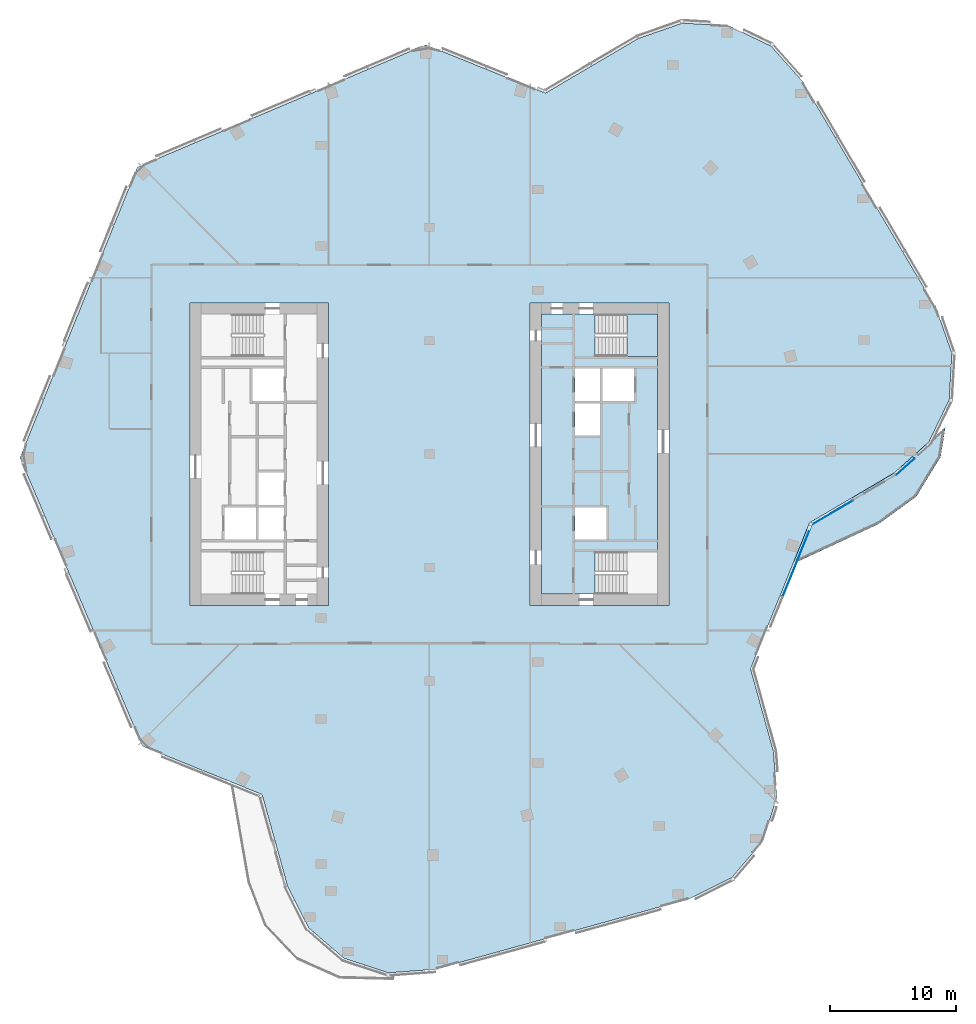
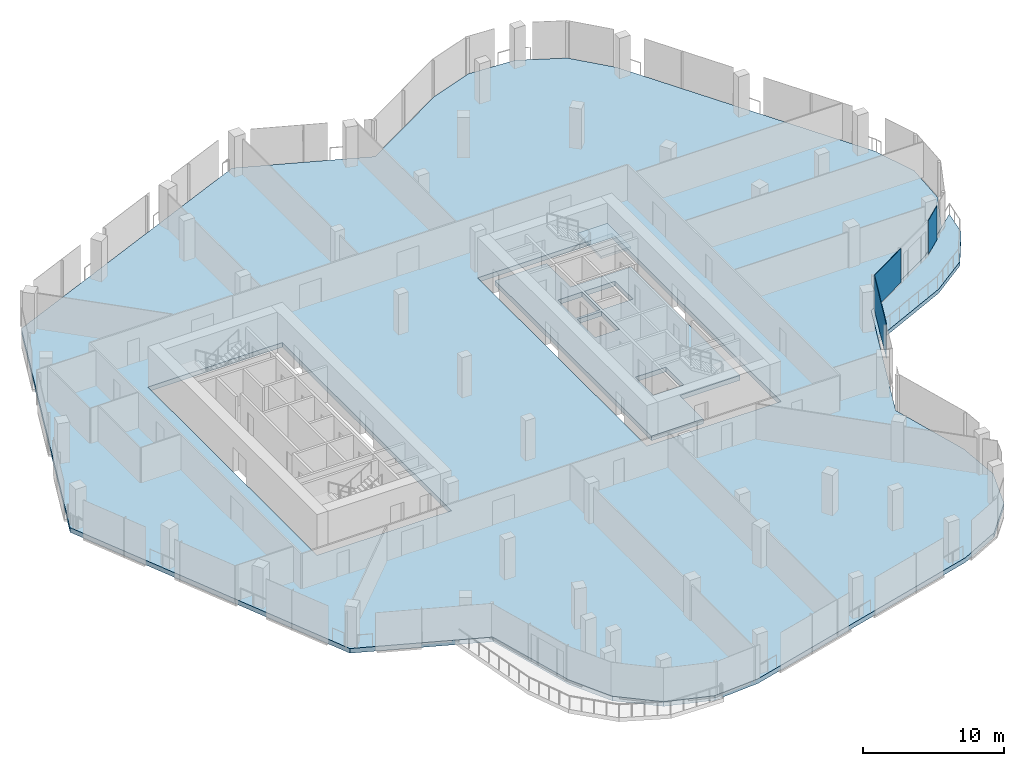
# One storey, part 15 of 26: 4 slabs, 3 plates, 4 elements without a shape of their own.
"""IFC4 building model written with IfcOpenShell, lengths in metres."""

from ifc_helpers import new_model, si_unit, direction, frame, origin, origin_2d, place, context, subcontext, project, spatial, polyline, rectangle, outline, extrude, material, layer, layer_set, type_object, element, aggregate, save


model = new_model("IFC4")

# Units and contexts
model_context = context("Model", 3, precision=1e-05, world=origin(), true_north=direction((0.0, 1.0)))
body_context = subcontext(model_context, "Body", "Model", "MODEL_VIEW")
ifc_project = project(units=[si_unit("LENGTHUNIT", "METRE"), si_unit("AREAUNIT", "SQUARE_METRE"), si_unit("VOLUMEUNIT", "CUBIC_METRE"), si_unit("PLANEANGLEUNIT", "RADIAN"), si_unit("MASSUNIT", "GRAM", prefix="KILO")], contexts=[model_context])

# Site, building, storey
site_placement = place(None, origin())
site = spatial("IfcSite", under=ifc_project, at=site_placement, CompositionType="ELEMENT")
building_placement = place(site_placement, origin())
building = spatial("IfcBuilding", under=site, at=building_placement, Name="Orlundy Tower", CompositionType="ELEMENT")
storey_placement = place(building_placement, frame((0.0, 0.0, 275.39990234375)))
storey = spatial("IfcBuildingStorey", under=building, at=storey_placement, Name="L73", CompositionType="ELEMENT", Elevation=275.39990234375)

# Curtain wall, plate
ifc_material_1 = material(Name="Aluminium bronze anodised", Category="aluminium")
curtain_wall_type = type_object("IfcCurtainWallType", Name="CW6 wall", PredefinedType="NOTDEFINED", material=ifc_material_1)
curtain_wall_1_placement = place(storey_placement, origin())
curtain_wall_1 = element("IfcCurtainWall", 1, at=curtain_wall_1_placement, inside=storey, type_object=curtain_wall_type, Name="CW6 run 00", PredefinedType="NOTDEFINED")
ifc_material_2 = material(Name="Tinted glass", Category="glass")
ifc_layer_1 = layer(ifc_material_2, 0.035888671875)
ifc_layer_set_1 = layer_set([ifc_layer_1], Name="CW6 glass panel 36")
plate_type = type_object("IfcPlateType", Name="CW6 glass panel 36", PredefinedType="CURTAIN_PANEL", material=ifc_layer_set_1)
plate_1_placement = place(storey_placement, frame((31.965087890625, -4.640869140625, 0.16015625), z_axis=(0.0, 0.0, 1.0), x_axis=(-0.861613706628, -0.507564597416, 0.0)))
plate_1 = element("IfcPlate", 2, at=plate_1_placement, type_object=plate_type, Name="CW6 panel", PredefinedType="CURTAIN_PANEL", context=body_context, shape_type="SweptSolid", body=[
    extrude(rectangle(XDim=3.791748046875, YDim=0.035888671875, at=origin_2d()), origin(), (0.0, 0.0, 1.0), 2.93994140625),
])
aggregate(curtain_wall_1, [plate_1])

curtain_wall_2_placement = place(storey_placement, origin())
curtain_wall_2 = element("IfcCurtainWall", 3, at=curtain_wall_2_placement, inside=storey, type_object=curtain_wall_type, Name="CW6 run 01", PredefinedType="NOTDEFINED")
plate_2_placement = place(storey_placement, frame((29.18115234375, -8.45068359375, 0.16015625), z_axis=(0.0, 0.0, 1.0), x_axis=(-0.37457825326, -0.927195304229, 0.0)))
plate_2 = element("IfcPlate", 4, at=plate_2_placement, type_object=plate_type, Name="CW6 panel", PredefinedType="CURTAIN_PANEL", context=body_context, shape_type="SweptSolid", body=[
    extrude(rectangle(XDim=6.142578125, YDim=0.035888671875, at=origin_2d()), origin(), (0.0, 0.0, 1.0), 2.93994140625),
])
aggregate(curtain_wall_2, [plate_2])

curtain_wall_3_placement = place(storey_placement, origin())
curtain_wall_3 = element("IfcCurtainWall", 5, at=curtain_wall_3_placement, inside=storey, type_object=curtain_wall_type, Name="CW6 run 027", PredefinedType="NOTDEFINED")
plate_3_placement = place(storey_placement, frame((37.743896484375, -1.0087890625, 0.16015625), z_axis=(0.0, 0.0, 1.0), x_axis=(-0.746157794518, -0.665769138425, 0.0)))
plate_3 = element("IfcPlate", 6, at=plate_3_placement, type_object=plate_type, Name="CW6 panel", PredefinedType="CURTAIN_PANEL", context=body_context, shape_type="SweptSolid", body=[
    extrude(rectangle(XDim=1.9638671875, YDim=0.035888671875, at=origin_2d()), origin(), (0.0, 0.0, 1.0), 2.93994140625),
])
aggregate(curtain_wall_3, [plate_3])

# Slab
ifc_material_3 = material(Name="Concrete C50/60", Category="concrete")
ifc_layer_2 = layer(ifc_material_3, 0.409912109375)
ifc_layer_set_2 = layer_set([ifc_layer_2], Name="Core Floor Slab 410")
slab_type_1 = type_object("IfcSlabType", Name="Core Floor Slab 410", PredefinedType="FLOOR", material=ifc_layer_set_2)
slab_1_placement = place(storey_placement, frame((0.0, 0.0, -0.409912109375)))
element("IfcSlab", 7, at=slab_1_placement, inside=storey, type_object=slab_type_1, Name="Core floor E55", PredefinedType="FLOOR", context=body_context, shape_type="SweptSolid", body=[
    extrude(outline(polyline([(18.10009765625, -7.75), (13.14501953125, -7.75), (13.14501953125, -11.10009765625), (8.89990234375, -11.10009765625), (8.89990234375, 11.10009765625), (13.14501953125, 11.10009765625), (13.14501953125, 7.75), (18.10009765625, 7.75), (18.10009765625, -7.75)]), holes=[polyline([(13.5400390625, 4.22509765625), (13.5400390625, 6.77490234375), (11.5400390625, 6.77490234375), (11.5400390625, 4.22509765625), (13.5400390625, 4.22509765625)]), polyline([(13.739990234375, 4.22509765625), (16.239990234375, 4.22509765625), (16.239990234375, 6.77490234375), (13.739990234375, 6.77490234375), (13.739990234375, 4.22509765625)]), polyline([(11.5400390625, 4.02490234375), (11.5400390625, 1.47509765625), (13.5400390625, 1.47509765625), (13.5400390625, 4.02490234375), (11.5400390625, 4.02490234375)]), polyline([(14.0400390625, -4.22509765625), (11.5400390625, -4.22509765625), (11.5400390625, -6.77490234375), (14.0400390625, -6.77490234375), (14.0400390625, -4.22509765625)])]), origin(), (0.0, 0.0, 1.0), 0.409912109375),
])

# Stair, slab
ifc_material_4 = material(Name="Concrete C50/60", Category="concrete")
stair_type = type_object("IfcStairType", Name="Exit Stair 20 risers", PredefinedType="HALF_TURN_STAIR", material=ifc_material_4)
stair_placement = place(storey_placement, origin())
stair = element("IfcStair", 8, at=stair_placement, inside=storey, type_object=stair_type, Name="L73 Exit Stair ST-E2", PredefinedType="HALF_TURN_STAIR")
ifc_material_5 = material(Name="Concrete C50/60", Category="concrete")
ifc_layer_3 = layer(ifc_material_5, 0.199951171875)
ifc_layer_set_3 = layer_set([ifc_layer_3], Name="Exit Stair Landing")
slab_type_2 = type_object("IfcSlabType", Name="Exit Stair Landing", PredefinedType="LANDING", material=ifc_layer_set_3)
slab_2_placement = place(storey_placement, frame((0.0, 0.0, 1.550048828125)))
slab_2 = element("IfcSlab", 9, at=slab_2_placement, type_object=slab_type_2, Name="ST-E2 landing 1", PredefinedType="LANDING", context=body_context, shape_type="SweptSolid", body=[
    extrude(outline(polyline([(15.659912109375, 7.75), (18.10009765625, 7.75), (18.10009765625, 11.10009765625), (15.659912109375, 11.10009765625), (15.659912109375, 7.75)])), origin(), (0.0, 0.0, 1.0), 0.199951171875),
])
aggregate(stair, [slab_2])

# Slabs
ifc_material_6 = material(Name="Concrete C45/55", Category="concrete")
ifc_layer_4 = layer(ifc_material_6, 0.39990234375)
ifc_layer_set_4 = layer_set([ifc_layer_4], Name="FLOOR SLAB THICK 400 C45/55")
slab_type_3 = type_object("IfcSlabType", Name="FLOOR SLAB THICK 400 C45/55", PredefinedType="FLOOR", material=ifc_layer_set_4)
slab_3_placement = place(storey_placement, frame((0.0, 0.0, -0.39990234375)))
element("IfcSlab", 10, at=slab_3_placement, inside=storey, type_object=slab_type_3, Name="Floor slab L73", PredefinedType="FLOOR", context=body_context, shape_type="SweptSolid", body=[
    extrude(outline(polyline([(30.154052734375, -5.449951171875), (25.47705078125, -17.027099609375), (27.2900390625, -23.56396484375), (27.56396484375, -27.260986328125), (26.404052734375, -30.781005859375), (23.98388671875, -33.589111328125), (20.674072265625, -35.257080078125), (0.43798828125, -40.868896484375), (-3.259033203125, -41.14404296875), (-6.779052734375, -39.98291015625), (-9.5869140625, -37.56396484375), (-11.2548828125, -34.25390625), (-13.26806640625, -26.9951171875), (-22.760009765625, -23.160888671875), (-32.470947265625, -0.282958984375), (-23.160888671875, 22.760009765625), (-0.282958984375, 32.470947265625), (9.2080078125, 28.635986328125), (16.56005859375, 32.966064453125), (20.05908203125, 34.18798828125), (23.760009765625, 33.97802734375), (27.09912109375, 32.367919921875), (29.56689453125, 29.60205078125), (40.22509765625, 11.508056640625), (41.447021484375, 8.009033203125), (41.237060546875, 4.30810546875), (39.626953125, 0.968994140625), (36.861083984375, -1.4990234375), (30.154052734375, -5.449951171875)]), holes=[polyline([(-8.0, -12.0), (-8.0, 12.0), (-19.0, 12.0), (-19.0, -12.0), (-8.0, -12.0)]), polyline([(19.0, -12.0), (19.0, 12.0), (8.0, 12.0), (8.0, -12.0), (19.0, -12.0)])]), origin(), (0.0, 0.0, 1.0), 0.39990234375),
])
ifc_material_7 = material(Name="Concrete C45/55", Category="concrete")
ifc_layer_5 = layer(ifc_material_7, 0.35009765625)
ifc_layer_set_5 = layer_set([ifc_layer_5], Name="TERRACE SLAB 350 C45/55")
slab_type_4 = type_object("IfcSlabType", Name="TERRACE SLAB 350 C45/55", PredefinedType="ROOF", material=ifc_layer_set_5)
slab_4_placement = place(storey_placement, frame((0.0, 0.0, -0.349853515625)))
element("IfcSlab", 11, at=slab_4_placement, inside=storey, type_object=slab_type_4, Name="Terrace slab L73-1", PredefinedType="ROOF", context=body_context, shape_type="SweptSolid", body=[
    extrude(outline(polyline([(28.844970703125, -8.68798828125), (30.154052734375, -5.449951171875), (36.861083984375, -1.4990234375), (40.929931640625, 2.131103515625), (40.552001953125, -0.2060546875), (38.62109375, -3.367919921875), (35.6259765625, -5.551025390625), (28.844970703125, -8.68798828125)])), origin(), (0.0, 0.0, 1.0), 0.349853515625),
])

save(model, "model.ifc")
